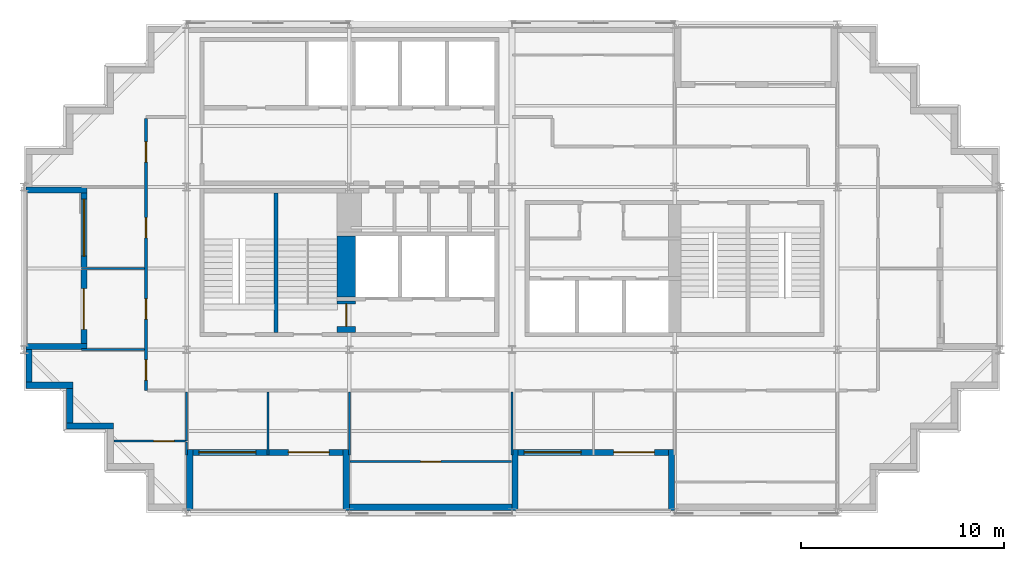
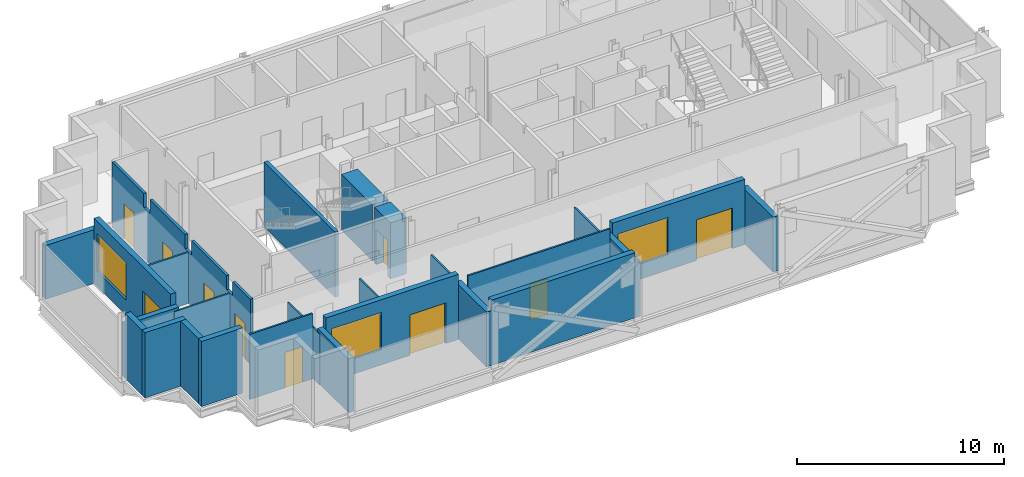
# One storey, part 4 of 9: 27 walls, 10 doors, 3 windows, 13 openings.
"""IFC4 building model written with IfcOpenShell, lengths in metres."""

from ifc_helpers import new_model, si_unit, direction, frame, frame_2d, origin, place, context, subcontext, project, spatial, polyline, rectangle, outline, extrude, material, layer, layer_set, type_object, element, fill, save


model = new_model("IFC4")

# Units and contexts
model_context = context("Model", 3, precision=1e-05, world=origin(), true_north=direction((0.0, 1.0)))
body_context = subcontext(model_context, "Body", "Model", "MODEL_VIEW")
ifc_project = project(units=[si_unit("LENGTHUNIT", "METRE"), si_unit("AREAUNIT", "SQUARE_METRE"), si_unit("VOLUMEUNIT", "CUBIC_METRE"), si_unit("PLANEANGLEUNIT", "RADIAN"), si_unit("MASSUNIT", "GRAM", prefix="KILO")], contexts=[model_context])

# Site, building, storey
site_placement = place(None, origin())
site = spatial("IfcSite", under=ifc_project, at=site_placement, CompositionType="ELEMENT")
building_placement = place(site_placement, origin())
building = spatial("IfcBuilding", under=site, at=building_placement, Name="Immortelle Media Tower", CompositionType="ELEMENT")
storey_placement = place(building_placement, frame((0.0, 0.0, 247.0)))
storey = spatial("IfcBuildingStorey", under=building, at=storey_placement, Name="L53", CompositionType="ELEMENT", Elevation=247.0)

# Wall, openings, doors
ifc_material_1 = material(Name="Fire-rated gypsum board", Category="gypsum")
ifc_layer_1 = layer(ifc_material_1, 0.012451171875)
ifc_material_2 = material(Name="Steel ASTM A653 SS Gr 50 stud frame with mineral wool", Category="steel")
ifc_layer_2 = layer(ifc_material_2, 0.125)
ifc_layer_3 = layer(ifc_material_1, 0.012451171875)
ifc_layer_set_1 = layer_set([ifc_layer_1, ifc_layer_2, ifc_layer_3], Name="Steel ASTM A653 SS Gr 50 stud frame with mineral wool")
wall_type_1 = type_object("IfcWallType", Name="Corridor wall 150", PredefinedType="PARTITIONING", material=ifc_layer_set_1)
wall_1_placement = place(storey_placement, frame((6.0, 6.0, 0.0), z_axis=(0.0, 0.0, 1.0), x_axis=(0.0, 1.0, 0.0)))
wall_1 = element("IfcWall", 1, at=wall_1_placement, inside=storey, type_object=wall_type_1, Name="Partition L53-014", PredefinedType="PARTITIONING", context=body_context, shape_type="SweptSolid", body=[
    extrude(outline(polyline([(0.0, 0.0), (13.375, 0.0), (13.375, 3.85009765625), (10.300048828125, 3.85009765625), (10.298095703125, 3.013916015625), (9.701904296875, 3.013916015625), (9.699951171875, 3.85009765625), (6.300048828125, 3.85009765625), (6.298095703125, 3.013916015625), (5.701904296875, 3.013916015625), (5.699951171875, 3.85009765625), (2.300048828125, 3.85009765625), (2.298095703125, 3.013916015625), (1.701904296875, 3.013916015625), (1.699951171875, 3.85009765625), (0.0, 3.85009765625), (0.0, 0.0)])), frame((0.0, 0.074951171875, 0.0), z_axis=(0.0, -1.0, 0.0), x_axis=(1.0, 0.0, 0.0)), (0.0, 0.0, 1.0), 0.14990234375),
])
opening_1_placement = place(wall_1_placement, frame((0.5, 0.0, 0.0)))
opening_1 = element("IfcOpeningElement", 2, at=opening_1_placement, cuts=wall_1, Name="Opening X1-F009", PredefinedType="OPENING", context=body_context, shape_type="SweptSolid", body=[
    extrude(rectangle(XDim=1.0, YDim=2.10009765625, at=frame_2d((0.5, 1.050048828125))), frame((0.0, 0.0849609375, 0.0), z_axis=(0.0, -1.0, 0.0), x_axis=(1.0, 0.0, 0.0)), (0.0, 0.0, 1.0), 0.169921875),
])
opening_2_placement = place(wall_1_placement, frame((3.5, 0.0, 0.0)))
opening_2 = element("IfcOpeningElement", 3, at=opening_2_placement, cuts=wall_1, Name="Opening X1-F012", PredefinedType="OPENING", context=body_context, shape_type="SweptSolid", body=[
    extrude(rectangle(XDim=1.0, YDim=2.10009765625, at=frame_2d((0.5, 1.050048828125))), frame((0.0, 0.0849609375, 0.0), z_axis=(0.0, -1.0, 0.0), x_axis=(1.0, 0.0, 0.0)), (0.0, 0.0, 1.0), 0.169921875),
])
opening_3_placement = place(wall_1_placement, frame((7.5, 0.0, 0.0)))
opening_3 = element("IfcOpeningElement", 4, at=opening_3_placement, cuts=wall_1, Name="Opening X1-F013", PredefinedType="OPENING", context=body_context, shape_type="SweptSolid", body=[
    extrude(rectangle(XDim=1.0, YDim=2.10009765625, at=frame_2d((0.5, 1.050048828125))), frame((0.0, 0.0849609375, 0.0), z_axis=(0.0, -1.0, 0.0), x_axis=(1.0, 0.0, 0.0)), (0.0, 0.0, 1.0), 0.169921875),
])
opening_4_placement = place(wall_1_placement, frame((11.22509765625, 0.0, 0.0)))
opening_4 = element("IfcOpeningElement", 5, at=opening_4_placement, cuts=wall_1, Name="Opening X1-F016", PredefinedType="OPENING", context=body_context, shape_type="SweptSolid", body=[
    extrude(rectangle(XDim=1.0, YDim=2.10009765625, at=frame_2d((0.5, 1.050048828125))), frame((0.0, 0.0849609375, 0.0), z_axis=(0.0, -1.0, 0.0), x_axis=(1.0, 0.0, 0.0)), (0.0, 0.0, 1.0), 0.169921875),
])
ifc_material_3 = material(Name="Timber veneered door leaf, galvanised steel frame ASTM A653", Category="steel")
door_type_1 = type_object("IfcDoorType", Name="Room door 1000 x 2100", OperationType="NOTDEFINED", PredefinedType="DOOR", material=ifc_material_3)
door_1_placement = place(opening_1_placement, origin())
door_1 = element("IfcDoor", 6, at=door_1_placement, inside=storey, type_object=door_type_1, Name="Door X1-F009", OperationType="SINGLE_SWING_RIGHT", OverallHeight=2.10009765625, OverallWidth=1.0, PredefinedType="DOOR", context=body_context, shape_type="SweptSolid", body=[
    extrude(rectangle(XDim=1.0, YDim=2.10009765625, at=frame_2d((0.5, 1.050048828125))), frame((0.0, 0.02490234375, 0.0), z_axis=(0.0, -1.0, 0.0), x_axis=(1.0, 0.0, 0.0)), (0.0, 0.0, 1.0), 0.050048828125),
])
fill(opening_1, door_1)
door_2_placement = place(opening_2_placement, origin())
door_2 = element("IfcDoor", 7, at=door_2_placement, inside=storey, type_object=door_type_1, Name="Door X1-F012", OperationType="SINGLE_SWING_LEFT", OverallHeight=2.10009765625, OverallWidth=1.0, PredefinedType="DOOR", context=body_context, shape_type="SweptSolid", body=[
    extrude(rectangle(XDim=1.0, YDim=2.10009765625, at=frame_2d((0.5, 1.050048828125))), frame((0.0, 0.02490234375, 0.0), z_axis=(0.0, -1.0, 0.0), x_axis=(1.0, 0.0, 0.0)), (0.0, 0.0, 1.0), 0.050048828125),
])
fill(opening_2, door_2)
door_3_placement = place(opening_3_placement, origin())
door_3 = element("IfcDoor", 8, at=door_3_placement, inside=storey, type_object=door_type_1, Name="Door X1-F013", OperationType="SINGLE_SWING_RIGHT", OverallHeight=2.10009765625, OverallWidth=1.0, PredefinedType="DOOR", context=body_context, shape_type="SweptSolid", body=[
    extrude(rectangle(XDim=1.0, YDim=2.10009765625, at=frame_2d((0.5, 1.050048828125))), frame((0.0, 0.02490234375, 0.0), z_axis=(0.0, -1.0, 0.0), x_axis=(1.0, 0.0, 0.0)), (0.0, 0.0, 1.0), 0.050048828125),
])
fill(opening_3, door_3)
door_4_placement = place(opening_4_placement, origin())
door_4 = element("IfcDoor", 9, at=door_4_placement, inside=storey, type_object=door_type_1, Name="Door X1-F016", OperationType="SINGLE_SWING_LEFT", OverallHeight=2.10009765625, OverallWidth=1.0, PredefinedType="DOOR", context=body_context, shape_type="SweptSolid", body=[
    extrude(rectangle(XDim=1.0, YDim=2.10009765625, at=frame_2d((0.5, 1.050048828125))), frame((0.0, 0.02490234375, 0.0), z_axis=(0.0, -1.0, 0.0), x_axis=(1.0, 0.0, 0.0)), (0.0, 0.0, 1.0), 0.050048828125),
])
fill(opening_4, door_4)

# Walls
ifc_material_4 = material(Name="Pale aluminium cladding panel", Category="aluminium")
ifc_layer_4 = layer(ifc_material_4, 0.030029296875)
ifc_layer_5 = layer(ifc_material_2, 0.257568359375)
ifc_material_5 = material(Name="Moisture-resistant gypsum board", Category="gypsum")
ifc_layer_6 = layer(ifc_material_5, 0.012451171875)
ifc_layer_set_2 = layer_set([ifc_layer_4, ifc_layer_5, ifc_layer_6], Name="Steel ASTM A653 SS Gr 50 stud frame with mineral wool")
wall_type_2 = type_object("IfcWallType", Name="Facade wall 300", PredefinedType="SOLIDWALL", material=ifc_layer_set_2)
wall_2_placement = place(storey_placement, frame((0.10009765625, 6.25, 0.0), z_axis=(0.0, 0.0, 1.0), x_axis=(1.0, 0.0, 0.0)))
element("IfcWall", 10, at=wall_2_placement, inside=storey, type_object=wall_type_2, Name="Facade wall L53 S0", PredefinedType="SOLIDWALL", context=body_context, shape_type="SweptSolid", body=[
    extrude(rectangle(XDim=2.2998046875, YDim=0.300048828125, at=frame_2d((1.14990234375, 0.0))), origin(), (0.0, 0.0, 1.0), 3.85009765625),
])
wall_3_placement = place(storey_placement, frame((2.25, 6.10009765625, 0.0), z_axis=(0.0, 0.0, 1.0), x_axis=(0.0, -1.0, 0.0)))
element("IfcWall", 11, at=wall_3_placement, inside=storey, type_object=wall_type_2, Name="Facade wall L53 W1", PredefinedType="SOLIDWALL", context=body_context, shape_type="SweptSolid", body=[
    extrude(rectangle(XDim=1.7001953125, YDim=0.300048828125, at=frame_2d((0.85009765625, 0.0))), origin(), (0.0, 0.0, 1.0), 3.85009765625),
])
wall_4_placement = place(storey_placement, frame((2.10009765625, 4.25, 0.0), z_axis=(0.0, 0.0, 1.0), x_axis=(1.0, 0.0, 0.0)))
element("IfcWall", 12, at=wall_4_placement, inside=storey, type_object=wall_type_2, Name="Facade wall L53 S2", PredefinedType="SOLIDWALL", context=body_context, shape_type="SweptSolid", body=[
    extrude(rectangle(XDim=2.2998046875, YDim=0.300048828125, at=frame_2d((1.14990234375, 0.0))), origin(), (0.0, 0.0, 1.0), 3.85009765625),
])

# Wall, openings, door, window
wall_5_placement = place(storey_placement, frame((8.300048828125, 2.949951171875, 0.0), z_axis=(0.0, 0.0, 1.0), x_axis=(1.0, 0.0, 0.0)))
wall_5 = element("IfcWall", 13, at=wall_5_placement, inside=storey, type_object=wall_type_2, Name="Loggia wall L53 S6", PredefinedType="SOLIDWALL", context=body_context, shape_type="SweptSolid", body=[
    extrude(rectangle(XDim=7.39990234375, YDim=0.300048828125, at=frame_2d((3.699951171875, 0.0))), origin(), (0.0, 0.0, 1.0), 3.85009765625),
])
opening_5_placement = place(wall_5_placement, frame((0.300048828125, 0.0, 0.89990234375)))
opening_5 = element("IfcOpeningElement", 14, at=opening_5_placement, cuts=wall_5, Name="Opening W1", PredefinedType="OPENING", context=body_context, shape_type="SweptSolid", body=[
    extrude(rectangle(XDim=2.800048828125, YDim=2.199951171875, at=frame_2d((1.39990234375, 1.10009765625))), frame((0.0, 0.159912109375, 0.0), z_axis=(0.0, -1.0, 0.0), x_axis=(1.0, 0.0, 0.0)), (0.0, 0.0, 1.0), 0.320068359375),
])
opening_6_placement = place(wall_5_placement, frame((4.699951171875, 0.0, 0.0)))
opening_6 = element("IfcOpeningElement", 15, at=opening_6_placement, cuts=wall_5, Name="Opening X1-E001", PredefinedType="OPENING", context=body_context, shape_type="SweptSolid", body=[
    extrude(rectangle(XDim=2.0, YDim=2.39990234375, at=frame_2d((1.0, 1.199951171875))), frame((0.0, 0.159912109375, 0.0), z_axis=(0.0, -1.0, 0.0), x_axis=(1.0, 0.0, 0.0)), (0.0, 0.0, 1.0), 0.320068359375),
])
ifc_material_6 = material(Name="Aluminium frame, glazed leaves", Category="aluminium")
door_type_2 = type_object("IfcDoorType", Name="Loggia door 2000 x 2400", OperationType="DOUBLE_DOOR_SINGLE_SWING", PredefinedType="DOOR", material=ifc_material_6)
door_5_placement = place(opening_6_placement, origin())
door_5 = element("IfcDoor", 16, at=door_5_placement, inside=storey, type_object=door_type_2, Name="Door X1-E001", OperationType="DOUBLE_DOOR_SINGLE_SWING", OverallHeight=2.39990234375, OverallWidth=2.0, PredefinedType="DOOR", context=body_context, shape_type="SweptSolid", body=[
    extrude(rectangle(XDim=2.0, YDim=2.39990234375, at=frame_2d((1.0, 1.199951171875))), frame((0.0, 0.02490234375, 0.0), z_axis=(0.0, -1.0, 0.0), x_axis=(1.0, 0.0, 0.0)), (0.0, 0.0, 1.0), 0.050048828125),
])
fill(opening_6, door_5)
ifc_material_7 = material(Name="Aluminium frame", Category="aluminium")
window_type = type_object("IfcWindowType", Name="Window 2800 x 2200", PartitioningType="SINGLE_PANEL", PredefinedType="WINDOW", material=ifc_material_7)
window_1_placement = place(opening_5_placement, origin())
window_1 = element("IfcWindow", 17, at=window_1_placement, inside=storey, type_object=window_type, Name="Window L53 L53-R6-B0", OverallHeight=2.199951171875, OverallWidth=2.800048828125, PartitioningType="SINGLE_PANEL", PredefinedType="WINDOW", context=body_context, shape_type="SweptSolid", body=[
    extrude(rectangle(XDim=2.800048828125, YDim=2.199951171875, at=frame_2d((1.39990234375, 1.10009765625))), frame((0.0, 0.030029296875, 0.0), z_axis=(0.0, -1.0, 0.0), x_axis=(1.0, 0.0, 0.0)), (0.0, 0.0, 1.0), 0.06005859375),
])
fill(opening_5, window_1)

# Walls
wall_6_placement = place(storey_placement, frame((8.14990234375, 0.10009765625, 0.0), z_axis=(0.0, 0.0, 1.0), x_axis=(0.0, 1.0, 0.0)))
element("IfcWall", 18, at=wall_6_placement, inside=storey, type_object=wall_type_2, Name="Loggia cheek wall L53 S", PredefinedType="SOLIDWALL", context=body_context, shape_type="SweptSolid", body=[
    extrude(rectangle(XDim=3.0, YDim=0.300048828125, at=frame_2d((1.5, 0.0))), origin(), (0.0, 0.0, 1.0), 3.1708984375),
])
wall_7_placement = place(storey_placement, frame((15.85009765625, 0.10009765625, 0.0), z_axis=(0.0, 0.0, 1.0), x_axis=(0.0, 1.0, 0.0)))
element("IfcWall", 19, at=wall_7_placement, inside=storey, type_object=wall_type_2, Name="Loggia cheek wall L53 S", PredefinedType="SOLIDWALL", context=body_context, shape_type="SweptSolid", body=[
    extrude(rectangle(XDim=3.0, YDim=0.300048828125, at=frame_2d((1.5, 0.0))), origin(), (0.0, 0.0, 1.0), 3.237060546875),
])
wall_8_placement = place(storey_placement, frame((16.0, 0.25, 0.0), z_axis=(0.0, 0.0, 1.0), x_axis=(1.0, 0.0, 0.0)))
element("IfcWall", 20, at=wall_8_placement, inside=storey, type_object=wall_type_2, Name="Facade wall L53 S6", PredefinedType="SOLIDWALL", context=body_context, shape_type="SweptSolid", body=[
    extrude(rectangle(XDim=8.0, YDim=0.300048828125, at=frame_2d((4.0, 0.0))), origin(), (0.0, 0.0, 1.0), 3.85009765625),
])

# Wall, openings, door, window
wall_9_placement = place(storey_placement, frame((24.300048828125, 2.949951171875, 0.0), z_axis=(0.0, 0.0, 1.0), x_axis=(1.0, 0.0, 0.0)))
wall_9 = element("IfcWall", 21, at=wall_9_placement, inside=storey, type_object=wall_type_2, Name="Loggia wall L53 S6", PredefinedType="SOLIDWALL", context=body_context, shape_type="SweptSolid", body=[
    extrude(rectangle(XDim=7.39990234375, YDim=0.300048828125, at=frame_2d((3.699951171875, 0.0))), origin(), (0.0, 0.0, 1.0), 3.85009765625),
])
opening_7_placement = place(wall_9_placement, frame((0.300048828125, 0.0, 0.89990234375)))
opening_7 = element("IfcOpeningElement", 22, at=opening_7_placement, cuts=wall_9, Name="Opening W1", PredefinedType="OPENING", context=body_context, shape_type="SweptSolid", body=[
    extrude(rectangle(XDim=2.800048828125, YDim=2.199951171875, at=frame_2d((1.39990234375, 1.10009765625))), frame((0.0, 0.159912109375, 0.0), z_axis=(0.0, -1.0, 0.0), x_axis=(1.0, 0.0, 0.0)), (0.0, 0.0, 1.0), 0.320068359375),
])
opening_8_placement = place(wall_9_placement, frame((4.699951171875, 0.0, 0.0)))
opening_8 = element("IfcOpeningElement", 23, at=opening_8_placement, cuts=wall_9, Name="Opening X1-E002", PredefinedType="OPENING", context=body_context, shape_type="SweptSolid", body=[
    extrude(rectangle(XDim=2.0, YDim=2.39990234375, at=frame_2d((1.0, 1.199951171875))), frame((0.0, 0.159912109375, 0.0), z_axis=(0.0, -1.0, 0.0), x_axis=(1.0, 0.0, 0.0)), (0.0, 0.0, 1.0), 0.320068359375),
])
door_6_placement = place(opening_8_placement, origin())
door_6 = element("IfcDoor", 24, at=door_6_placement, inside=storey, type_object=door_type_2, Name="Door X1-E002", OperationType="DOUBLE_DOOR_SINGLE_SWING", OverallHeight=2.39990234375, OverallWidth=2.0, PredefinedType="DOOR", context=body_context, shape_type="SweptSolid", body=[
    extrude(rectangle(XDim=2.0, YDim=2.39990234375, at=frame_2d((1.0, 1.199951171875))), frame((0.0, 0.02490234375, 0.0), z_axis=(0.0, -1.0, 0.0), x_axis=(1.0, 0.0, 0.0)), (0.0, 0.0, 1.0), 0.050048828125),
])
fill(opening_8, door_6)
window_2_placement = place(opening_7_placement, origin())
window_2 = element("IfcWindow", 25, at=window_2_placement, inside=storey, type_object=window_type, Name="Window L53 L53-R6-B2", OverallHeight=2.199951171875, OverallWidth=2.800048828125, PartitioningType="SINGLE_PANEL", PredefinedType="WINDOW", context=body_context, shape_type="SweptSolid", body=[
    extrude(rectangle(XDim=2.800048828125, YDim=2.199951171875, at=frame_2d((1.39990234375, 1.10009765625))), frame((0.0, 0.030029296875, 0.0), z_axis=(0.0, -1.0, 0.0), x_axis=(1.0, 0.0, 0.0)), (0.0, 0.0, 1.0), 0.06005859375),
])
fill(opening_7, window_2)

# Walls
for number, where, z_axis, x_axis, name in (
    (26, (24.14990234375, 0.10009765625, 0.0), (0.0, 0.0, 1.0), (0.0, 1.0, 0.0), "Loggia cheek wall L53 S"),
    (27, (31.85009765625, 0.10009765625, 0.0), (0.0, 0.0, 1.0), (0.0, 1.0, 0.0), "Loggia cheek wall L53 S"),
):
    element("IfcWall", number, at=place(storey_placement, frame(where, z_axis=z_axis, x_axis=x_axis)), inside=storey, type_object=wall_type_2, Name=name, PredefinedType="SOLIDWALL", context=body_context, shape_type="SweptSolid", body=[
        extrude(rectangle(XDim=3.0, YDim=0.300048828125, at=frame_2d((1.5, 0.0))), origin(), (0.0, 0.0, 1.0), 3.237060546875),
    ])

# Wall, openings, door, window
wall_10_placement = place(storey_placement, frame((2.949951171875, 15.699951171875, 0.0), z_axis=(0.0, 0.0, 1.0), x_axis=(0.0, -1.0, 0.0)))
wall_10 = element("IfcWall", 28, at=wall_10_placement, inside=storey, type_object=wall_type_2, Name="Loggia wall L53 W27", PredefinedType="SOLIDWALL", context=body_context, shape_type="SweptSolid", body=[
    extrude(rectangle(XDim=7.39990234375, YDim=0.300048828125, at=frame_2d((3.699951171875, 0.0))), origin(), (0.0, 0.0, 1.0), 3.85009765625),
])
opening_9_placement = place(wall_10_placement, frame((0.300048828125, 0.0, 0.89990234375)))
opening_9 = element("IfcOpeningElement", 29, at=opening_9_placement, cuts=wall_10, Name="Opening W1", PredefinedType="OPENING", context=body_context, shape_type="SweptSolid", body=[
    extrude(rectangle(XDim=2.800048828125, YDim=2.199951171875, at=frame_2d((1.39990234375, 1.10009765625))), frame((0.0, 0.159912109375, 0.0), z_axis=(0.0, -1.0, 0.0), x_axis=(1.0, 0.0, 0.0)), (0.0, 0.0, 1.0), 0.320068359375),
])
opening_10_placement = place(wall_10_placement, frame((4.699951171875, 0.0, 0.0)))
opening_10 = element("IfcOpeningElement", 30, at=opening_10_placement, cuts=wall_10, Name="Opening X1-E006", PredefinedType="OPENING", context=body_context, shape_type="SweptSolid", body=[
    extrude(rectangle(XDim=2.0, YDim=2.39990234375, at=frame_2d((1.0, 1.199951171875))), frame((0.0, 0.159912109375, 0.0), z_axis=(0.0, -1.0, 0.0), x_axis=(1.0, 0.0, 0.0)), (0.0, 0.0, 1.0), 0.320068359375),
])
door_7_placement = place(opening_10_placement, origin())
door_7 = element("IfcDoor", 31, at=door_7_placement, inside=storey, type_object=door_type_2, Name="Door X1-E006", OperationType="DOUBLE_DOOR_SINGLE_SWING", OverallHeight=2.39990234375, OverallWidth=2.0, PredefinedType="DOOR", context=body_context, shape_type="SweptSolid", body=[
    extrude(rectangle(XDim=2.0, YDim=2.39990234375, at=frame_2d((1.0, 1.199951171875))), frame((0.0, 0.02490234375, 0.0), z_axis=(0.0, -1.0, 0.0), x_axis=(1.0, 0.0, 0.0)), (0.0, 0.0, 1.0), 0.050048828125),
])
fill(opening_10, door_7)
window_3_placement = place(opening_9_placement, origin())
window_3 = element("IfcWindow", 32, at=window_3_placement, inside=storey, type_object=window_type, Name="Window L53 L53-R27-B0", OverallHeight=2.199951171875, OverallWidth=2.800048828125, PartitioningType="SINGLE_PANEL", PredefinedType="WINDOW", context=body_context, shape_type="SweptSolid", body=[
    extrude(rectangle(XDim=2.800048828125, YDim=2.199951171875, at=frame_2d((1.39990234375, 1.10009765625))), frame((0.0, 0.030029296875, 0.0), z_axis=(0.0, -1.0, 0.0), x_axis=(1.0, 0.0, 0.0)), (0.0, 0.0, 1.0), 0.06005859375),
])
fill(opening_9, window_3)

# Walls
for number, where, z_axis, x_axis, name in (
    (33, (0.10009765625, 15.85009765625, 0.0), (0.0, 0.0, 1.0), (1.0, 0.0, 0.0), "Loggia cheek wall L53 W"),
    (34, (0.10009765625, 8.14990234375, 0.0), (0.0, 0.0, 1.0), (1.0, 0.0, 0.0), "Loggia cheek wall L53 W"),
):
    element("IfcWall", number, at=place(storey_placement, frame(where, z_axis=z_axis, x_axis=x_axis)), inside=storey, type_object=wall_type_2, Name=name, PredefinedType="SOLIDWALL", context=body_context, shape_type="SweptSolid", body=[
        extrude(rectangle(XDim=3.0, YDim=0.300048828125, at=frame_2d((1.5, 0.0))), origin(), (0.0, 0.0, 1.0), 3.1708984375),
    ])
wall_11_placement = place(storey_placement, frame((0.25, 8.0, 0.0), z_axis=(0.0, 0.0, 1.0), x_axis=(0.0, -1.0, 0.0)))
element("IfcWall", 35, at=wall_11_placement, inside=storey, type_object=wall_type_2, Name="Facade wall L53 W27", PredefinedType="SOLIDWALL", context=body_context, shape_type="SweptSolid", body=[
    extrude(rectangle(XDim=1.60009765625, YDim=0.300048828125, at=frame_2d((0.800048828125, 0.0))), origin(), (0.0, 0.0, 1.0), 3.85009765625),
])

# Wall, opening, door
ifc_material_8 = material(Name="Gypsum board", Category="gypsum")
ifc_layer_7 = layer(ifc_material_8, 0.012451171875)
ifc_layer_8 = layer(ifc_material_2, 0.074951171875)
ifc_layer_9 = layer(ifc_material_8, 0.012451171875)
ifc_layer_set_3 = layer_set([ifc_layer_7, ifc_layer_8, ifc_layer_9], Name="Steel ASTM A653 SS Gr 50 stud frame with mineral wool")
wall_type_3 = type_object("IfcWallType", Name="Partition 100", PredefinedType="PARTITIONING", material=ifc_layer_set_3)
wall_12_placement = place(storey_placement, frame((16.030029296875, 2.5, 0.0), z_axis=(0.0, 0.0, 1.0), x_axis=(1.0, 0.0, 0.0)))
wall_12 = element("IfcWall", 36, at=wall_12_placement, inside=storey, type_object=wall_type_3, Name="Partition L53-004", PredefinedType="PARTITIONING", context=body_context, shape_type="SweptSolid", body=[
    extrude(rectangle(XDim=7.93994140625, YDim=0.10009765625, at=frame_2d((3.969970703125, 0.0))), origin(), (0.0, 0.0, 1.0), 3.85009765625),
])
opening_11_placement = place(wall_12_placement, frame((3.469970703125, 0.0, 0.0)))
opening_11 = element("IfcOpeningElement", 37, at=opening_11_placement, cuts=wall_12, Name="Opening X1-F002", PredefinedType="OPENING", context=body_context, shape_type="SweptSolid", body=[
    extrude(rectangle(XDim=1.0, YDim=2.10009765625, at=frame_2d((0.5, 1.050048828125))), frame((0.0, 0.06005859375, 0.0), z_axis=(0.0, -1.0, 0.0), x_axis=(1.0, 0.0, 0.0)), (0.0, 0.0, 1.0), 0.1201171875),
])
door_8_placement = place(opening_11_placement, origin())
door_8 = element("IfcDoor", 38, at=door_8_placement, inside=storey, type_object=door_type_1, Name="Door X1-F002", OperationType="SINGLE_SWING_LEFT", OverallHeight=2.10009765625, OverallWidth=1.0, PredefinedType="DOOR", context=body_context, shape_type="SweptSolid", body=[
    extrude(rectangle(XDim=1.0, YDim=2.10009765625, at=frame_2d((0.5, 1.050048828125))), frame((0.0, 0.02490234375, 0.0), z_axis=(0.0, -1.0, 0.0), x_axis=(1.0, 0.0, 0.0)), (0.0, 0.0, 1.0), 0.050048828125),
])
fill(opening_11, door_8)

# Walls
wall_13_placement = place(storey_placement, frame((8.0, 2.830078125, 0.0), z_axis=(0.0, 0.0, 1.0), x_axis=(0.0, 1.0, 0.0)))
element("IfcWall", 39, at=wall_13_placement, inside=storey, type_object=wall_type_3, Name="Partition L53-005", PredefinedType="PARTITIONING", context=body_context, shape_type="SweptSolid", body=[
    extrude(rectangle(XDim=0.619873046875, YDim=0.10009765625, at=frame_2d((0.31005859375, 0.0))), origin(), (0.0, 0.0, 1.0), 3.013916015625),
])
for number, where, z_axis, x_axis, name in (
    (40, (12.0, 2.830078125, 0.0), (0.0, 0.0, 1.0), (0.0, 1.0, 0.0), "Partition L53-006"),
    (41, (16.0, 2.830078125, 0.0), (0.0, 0.0, 1.0), (0.0, 1.0, 0.0), "Partition L53-007"),
    (42, (24.0, 2.830078125, 0.0), (0.0, 0.0, 1.0), (0.0, 1.0, 0.0), "Partition L53-008"),
):
    element("IfcWall", number, at=place(storey_placement, frame(where, z_axis=z_axis, x_axis=x_axis)), inside=storey, type_object=wall_type_3, Name=name, PredefinedType="PARTITIONING", context=body_context, shape_type="SweptSolid", body=[
        extrude(rectangle(XDim=3.094970703125, YDim=0.10009765625, at=frame_2d((1.54736328125, 0.0))), origin(), (0.0, 0.0, 1.0), 3.013916015625),
    ])

# Wall, opening, door
wall_14_placement = place(storey_placement, frame((4.429931640625, 3.5, 0.0), z_axis=(0.0, 0.0, 1.0), x_axis=(1.0, 0.0, 0.0)))
wall_14 = element("IfcWall", 43, at=wall_14_placement, inside=storey, type_object=wall_type_3, Name="Partition L53-011", PredefinedType="PARTITIONING", context=body_context, shape_type="SweptSolid", body=[
    extrude(rectangle(XDim=3.52001953125, YDim=0.10009765625, at=frame_2d((1.760009765625, 0.0))), origin(), (0.0, 0.0, 1.0), 3.85009765625),
])
opening_12_placement = place(wall_14_placement, frame((2.949951171875, 0.0, 0.0), z_axis=(0.0, 0.0, 1.0), x_axis=(-1.0, 0.0, 0.0)))
opening_12 = element("IfcOpeningElement", 44, at=opening_12_placement, cuts=wall_14, Name="Opening X1-F010", PredefinedType="OPENING", context=body_context, shape_type="SweptSolid", body=[
    extrude(rectangle(XDim=1.0, YDim=2.10009765625, at=frame_2d((0.5, 1.050048828125))), frame((0.0, 0.06005859375, 0.0), z_axis=(0.0, -1.0, 0.0), x_axis=(1.0, 0.0, 0.0)), (0.0, 0.0, 1.0), 0.1201171875),
])
door_9_placement = place(opening_12_placement, origin())
door_9 = element("IfcDoor", 45, at=door_9_placement, inside=storey, type_object=door_type_1, Name="Door X1-F010", OperationType="SINGLE_SWING_LEFT", OverallHeight=2.10009765625, OverallWidth=1.0, PredefinedType="DOOR", context=body_context, shape_type="SweptSolid", body=[
    extrude(rectangle(XDim=1.0, YDim=2.10009765625, at=frame_2d((0.5, 1.050048828125))), frame((0.0, 0.02490234375, 0.0), z_axis=(0.0, -1.0, 0.0), x_axis=(1.0, 0.0, 0.0)), (0.0, 0.0, 1.0), 0.050048828125),
])
fill(opening_12, door_9)

# Walls
wall_15_placement = place(storey_placement, frame((8.0, 3.5, 0.0), z_axis=(0.0, 0.0, 1.0), x_axis=(0.0, 1.0, 0.0)))
element("IfcWall", 46, at=wall_15_placement, inside=storey, type_object=wall_type_3, Name="Partition L53-012", PredefinedType="PARTITIONING", context=body_context, shape_type="SweptSolid", body=[
    extrude(rectangle(XDim=2.425048828125, YDim=0.10009765625, at=frame_2d((1.21240234375, 0.0))), origin(), (0.0, 0.0, 1.0), 3.013916015625),
])
for number, where, z_axis, x_axis, name in (
    (47, (2.830078125, 8.0, 0.0), (0.0, 0.0, 1.0), (1.0, 0.0, 0.0), "Partition L53-016"),
    (48, (2.830078125, 12.0, 0.0), (0.0, 0.0, 1.0), (1.0, 0.0, 0.0), "Partition L53-018"),
):
    element("IfcWall", number, at=place(storey_placement, frame(where, z_axis=z_axis, x_axis=x_axis)), inside=storey, type_object=wall_type_3, Name=name, PredefinedType="PARTITIONING", context=body_context, shape_type="SweptSolid", body=[
        extrude(rectangle(XDim=3.094970703125, YDim=0.10009765625, at=frame_2d((1.54736328125, 0.0))), origin(), (0.0, 0.0, 1.0), 3.013916015625),
    ])
ifc_material_9 = material(Name="Concrete C60", Category="concrete")
ifc_layer_10 = layer(ifc_material_9, 0.199951171875)
ifc_layer_set_4 = layer_set([ifc_layer_10], Name="Concrete C60")
wall_type_4 = type_object("IfcWallType", Name="Stair shaft wall 200", PredefinedType="PARTITIONING", material=ifc_layer_set_4)
wall_16_placement = place(storey_placement, frame((12.39990234375, 8.85009765625, 0.0), z_axis=(0.0, 0.0, 1.0), x_axis=(0.0, 1.0, 0.0)))
element("IfcWall", 49, at=wall_16_placement, inside=storey, type_object=wall_type_4, Name="Stair shaft wall SW", PredefinedType="PARTITIONING", context=body_context, shape_type="SweptSolid", body=[
    extrude(rectangle(XDim=6.849853515625, YDim=0.199951171875, at=frame_2d((3.4248046875, 0.0))), origin(), (0.0, 0.0, 1.0), 3.85009765625),
])

# Wall, opening, door
ifc_layer_11 = layer(ifc_material_9, 0.89990234375)
ifc_layer_set_5 = layer_set([ifc_layer_11], Name="Concrete C60")
wall_type_5 = type_object("IfcWallType", Name="Stair shaft wall 900", PredefinedType="PARTITIONING", material=ifc_layer_set_5)
wall_17_placement = place(storey_placement, frame((15.85009765625, 8.85009765625, 0.0), z_axis=(0.0, 0.0, 1.0), x_axis=(0.0, 1.0, 0.0)))
wall_17 = element("IfcWall", 50, at=wall_17_placement, inside=storey, type_object=wall_type_5, Name="Stair shaft wall SW", PredefinedType="PARTITIONING", context=body_context, shape_type="SweptSolid", body=[
    extrude(rectangle(XDim=1.5498046875, YDim=0.89990234375, at=frame_2d((0.77490234375, 0.0))), origin(), (0.0, 0.0, 1.0), 3.30810546875),
])
opening_13_placement = place(wall_17_placement, frame((0.300048828125, 0.0, 0.0)))
opening_13 = element("IfcOpeningElement", 51, at=opening_13_placement, cuts=wall_17, Name="Opening X1-K006", PredefinedType="OPENING", context=body_context, shape_type="SweptSolid", body=[
    extrude(rectangle(XDim=1.10009765625, YDim=2.10009765625, at=frame_2d((0.550048828125, 1.050048828125))), frame((0.0, 0.4599609375, 0.0), z_axis=(0.0, -1.0, 0.0), x_axis=(1.0, 0.0, 0.0)), (0.0, 0.0, 1.0), 0.919921875),
])
ifc_material_10 = material(Name="Galvanised steel door leaf and frame ASTM A653", Category="steel")
door_type_3 = type_object("IfcDoorType", Name="Stair lobby door 1100 x 2100", OperationType="NOTDEFINED", PredefinedType="NOTDEFINED", material=ifc_material_10)
door_10_placement = place(opening_13_placement, origin())
door_10 = element("IfcDoor", 52, at=door_10_placement, inside=storey, type_object=door_type_3, Name="Stair lobby X1-K006", OperationType="SINGLE_SWING_LEFT", OverallHeight=2.10009765625, OverallWidth=1.10009765625, PredefinedType="NOTDEFINED", context=body_context, shape_type="SweptSolid", body=[
    extrude(rectangle(XDim=1.10009765625, YDim=2.10009765625, at=frame_2d((0.550048828125, 1.050048828125))), frame((0.0, 0.02490234375, 0.0), z_axis=(0.0, -1.0, 0.0), x_axis=(1.0, 0.0, 0.0)), (0.0, 0.0, 1.0), 0.050048828125),
])
fill(opening_13, door_10)

# Wall
wall_18_placement = place(storey_placement, frame((15.85009765625, 10.60009765625, 0.0), z_axis=(0.0, 0.0, 1.0), x_axis=(0.0, 1.0, 0.0)))
element("IfcWall", 53, at=wall_18_placement, inside=storey, type_object=wall_type_5, Name="Stair shaft wall SW", PredefinedType="PARTITIONING", context=body_context, shape_type="SweptSolid", body=[
    extrude(rectangle(XDim=3.0, YDim=0.89990234375, at=frame_2d((1.5, 0.0))), origin(), (0.0, 0.0, 1.0), 3.30810546875),
])

save(model, "model.ifc")
